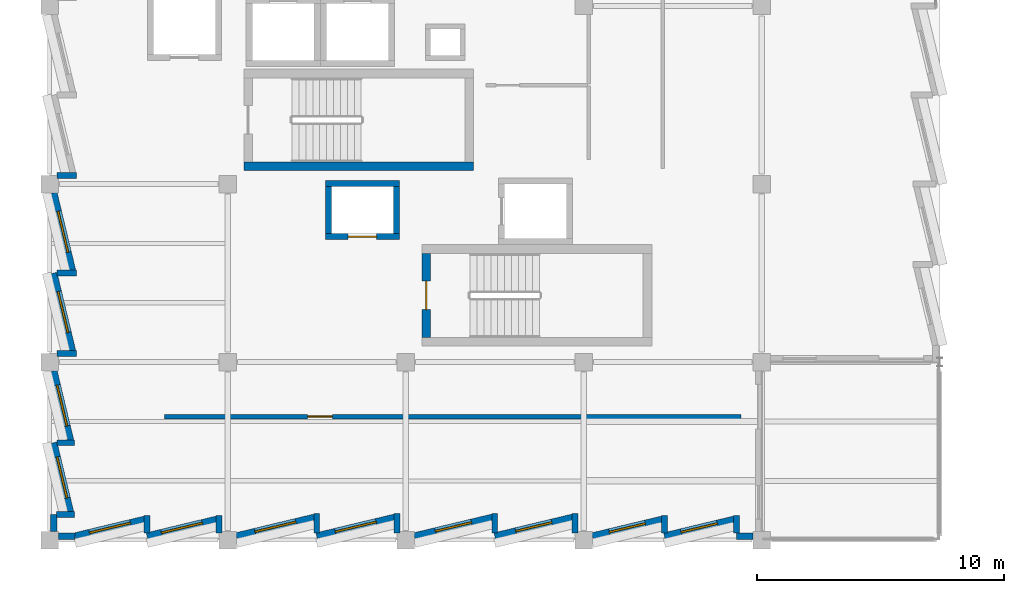
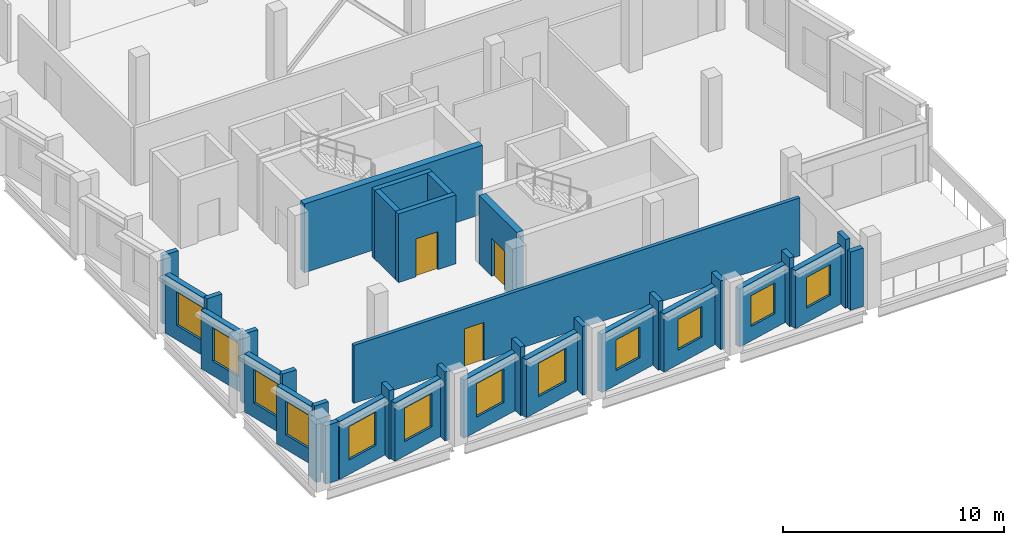
# One storey, part 28 of 38: 35 walls, 12 windows, 3 doors, 15 openings.
"""IFC4 building model written with IfcOpenShell, lengths in metres."""

import ifcopenshell
import ifcopenshell.guid

model = None  # the IFC model being written
_history = None  # IfcOwnerHistory: only IFC2X3 demands one
_inside = {}  # id of a spatial element -> (the spatial element, [elements in it])
_under = {}  # id of a project, library or spatial element -> (it, [spatial elements below it])
_declared = {}  # id of a project -> (the project, [libraries it declares])
_typed = {}  # id of a type object -> (the type object, [elements of that type])
_made_of = {}  # id of a material, layer set ... -> (it, [elements and type objects made of it])


def new_model(schema):
    """Start an empty IFC model of exactly this schema.

    Asked for "IFC4X3", IfcOpenShell would pick the latest addendum, in which some entities
    have other attributes; the version numbers below select the first issue.
    IFC2X3 requires an IfcOwnerHistory on every rooted entity: one is made here for all.
    """
    global model, _history
    if schema == "IFC4X3":
        model = ifcopenshell.file(schema_version=(4, 3, 0, 0))
    else:
        model = ifcopenshell.file(schema=schema)
    _inside.clear()
    _under.clear()
    _declared.clear()
    _typed.clear()
    _made_of.clear()
    _history = None
    if model.schema == "IFC2X3":
        org = make("IfcOrganization", Name="unknown")
        user = make(
            "IfcPersonAndOrganization",
            ThePerson=make("IfcPerson", FamilyName="unknown"),
            TheOrganization=org,
        )
        app = make(
            "IfcApplication",
            ApplicationDeveloper=org,
            Version="unknown",
            ApplicationFullName="unknown",
            ApplicationIdentifier="unknown",
        )
        _history = make(
            "IfcOwnerHistory",
            OwningUser=user,
            OwningApplication=app,
            ChangeAction="ADDED",
            CreationDate=0,
        )
    return model


def make(cls, **values):
    """One entity of the class cls with the attributes given. An attribute that is None is left unset."""
    return model.create_entity(
        cls, **{name: value for name, value in values.items() if value is not None}
    )


def rooted(cls, **values):
    """An entity with a GlobalId (a new one), such as an element, a storey or a relation."""
    return make(cls, GlobalId=ifcopenshell.guid.new(), OwnerHistory=_history, **values)


def si_unit(unit_type, name, prefix=None):
    """IfcSIUnit, for example si_unit("LENGTHUNIT", "METRE", prefix="MILLI")."""
    return make("IfcSIUnit", UnitType=unit_type, Prefix=prefix, Name=name)


def assignment(units):
    """IfcUnitAssignment: the units of a project."""
    return None if units is None else make("IfcUnitAssignment", Units=units)


def point(xyz):
    """IfcCartesianPoint."""
    return None if xyz is None else make("IfcCartesianPoint", Coordinates=xyz)


def direction(xyz):
    """IfcDirection."""
    return None if xyz is None else make("IfcDirection", DirectionRatios=xyz)


def frame(location, z_axis=None, x_axis=None):
    """IfcAxis2Placement3D, a coordinate frame: its origin and axes. An axis left out is left unset."""
    return make(
        "IfcAxis2Placement3D",
        Location=point(location),
        Axis=direction(z_axis),
        RefDirection=direction(x_axis),
    )


def frame_2d(location, x_axis=None):
    """IfcAxis2Placement2D, a coordinate frame in the plane: its origin and x axis."""
    return make(
        "IfcAxis2Placement2D", Location=point(location), RefDirection=direction(x_axis)
    )


def origin():
    """The frame at (0, 0, 0) with its axes left unset."""
    return frame((0.0, 0.0, 0.0))


def place(relative_to, where):
    """IfcLocalPlacement: puts the frame where relative to a parent placement (None: the world)."""
    return make(
        "IfcLocalPlacement", PlacementRelTo=relative_to, RelativePlacement=where
    )


def context(
    kind, dimensions, precision=None, world=None, true_north=None, identifier=None
):
    """IfcGeometricRepresentationContext, for example the 3D "Model" context."""
    return make(
        "IfcGeometricRepresentationContext",
        ContextIdentifier=identifier,
        ContextType=kind,
        CoordinateSpaceDimension=dimensions,
        Precision=precision,
        WorldCoordinateSystem=world,
        TrueNorth=true_north,
    )


def subcontext(parent, identifier, kind, view, scale=None):
    """IfcGeometricRepresentationSubContext, for example "Body" below "Model"."""
    return make(
        "IfcGeometricRepresentationSubContext",
        ContextIdentifier=identifier,
        ContextType=kind,
        ParentContext=parent,
        TargetScale=scale,
        TargetView=view,
    )


def project(units=None, contexts=None):
    """IfcProject with its units and contexts."""
    return rooted(
        "IfcProject",
        Name="project",
        RepresentationContexts=contexts,
        UnitsInContext=assignment(units),
    )


def spatial(cls, under=None, at=None, **own):
    """A site, building, storey or space (cls), placed at a placement, below another one or the project."""
    s = rooted(cls, ObjectPlacement=at, **own)
    if under is not None:
        _under.setdefault(under.id(), (under, []))[1].append(s)
    return s


def profile(cls, at=None, kind="AREA", **sizes):
    """A parametric profile (cls). Its sizes go by their IFC names, for example OverallWidth=200.0."""
    return make(cls, ProfileType=kind, Position=at, **sizes)


def rectangle(**sizes):
    """IfcRectangleProfileDef."""
    return profile("IfcRectangleProfileDef", **sizes)


def extrude(swept, where, along, depth):
    """IfcExtrudedAreaSolid: the profile swept, set in the frame where, extruded along a direction by depth."""
    return make(
        "IfcExtrudedAreaSolid",
        SweptArea=swept,
        Position=where,
        ExtrudedDirection=direction(along),
        Depth=depth,
    )


def shape(context_of_items, identifier, shape_type, items):
    """IfcShapeRepresentation: the items that make up one representation, for example the "Body"."""
    return make(
        "IfcShapeRepresentation",
        ContextOfItems=context_of_items,
        RepresentationIdentifier=identifier,
        RepresentationType=shape_type,
        Items=items,
    )


def material(Name=None, Category=None):
    """IfcMaterial."""
    return make("IfcMaterial", Name=Name, Category=Category)


def layer(
    of_material, thickness, ventilated=None, Name=None, Category=None, Priority=None
):
    """IfcMaterialLayer: one layer of a wall or slab, of a material (None: an air gap)."""
    return make(
        "IfcMaterialLayer",
        Material=of_material,
        LayerThickness=thickness,
        IsVentilated=ventilated,
        Name=Name,
        Category=Category,
        Priority=Priority,
    )


def layer_set(layers, Name=None):
    """IfcMaterialLayerSet."""
    return make("IfcMaterialLayerSet", MaterialLayers=layers, LayerSetName=Name)


def made_of(thing, what):
    """Note that an element or type object is made of a material, layer set ...; save() writes the relation."""
    if what is not None:
        _made_of.setdefault(what.id(), (what, []))[1].append(thing)
    return thing


def type_object(cls, material=None, **own):
    """A type object (cls), such as IfcWallType, which elements share."""
    return made_of(rooted(cls, **own), material)


def element(
    cls,
    number,
    at=None,
    inside=None,
    cuts=None,
    type_object=None,
    material=None,
    context=None,
    identifier="Body",
    shape_type=None,
    held_by="IfcProductDefinitionShape",
    body=None,
    shapes=None,
    **own,
):
    """One element of the class cls, such as IfcWall. Its Tag is "e" and its number.

    at: its placement. inside: the storey or other place that contains it. cuts: it is an
    opening in that element (IfcRelVoidsElement). A single representation is given by context,
    identifier, shape_type and body (its items); several are given by shapes. held_by: the class
    of the entity that holds the representations. save() writes the other relations.
    """
    e = rooted(cls, Tag="e%d" % number, ObjectPlacement=at, **own)
    if body is not None:
        shapes = [shape(context, identifier, shape_type, body)]
    if shapes is not None:
        e.Representation = make(held_by, Representations=shapes)
    if inside is not None:
        _inside.setdefault(inside.id(), (inside, []))[1].append(e)
    if cuts is not None:
        rooted(
            "IfcRelVoidsElement", RelatingBuildingElement=cuts, RelatedOpeningElement=e
        )
    if type_object is not None:
        _typed.setdefault(type_object.id(), (type_object, []))[1].append(e)
    return made_of(e, material)


def fill(opening, filler):
    """IfcRelFillsElement: the door or window that sits in an opening."""
    return rooted(
        "IfcRelFillsElement",
        RelatingOpeningElement=opening,
        RelatedBuildingElement=filler,
    )


def aggregate(whole, parts):
    """IfcRelAggregates: a whole, such as a stair, and the parts it consists of."""
    return rooted("IfcRelAggregates", RelatingObject=whole, RelatedObjects=parts)


def save(model, path):
    """Write the relations noted so far, then the file.

    IfcRelAggregates (storeys below a building ...), IfcRelContainedInSpatialStructure (elements
    in a storey), IfcRelDefinesByType, IfcRelAssociatesMaterial and IfcRelDeclares: one each for
    every whole, place, type object, material and project.
    """
    for whole, parts in _under.values():
        aggregate(whole, parts)
    for where, things in _inside.values():
        rooted(
            "IfcRelContainedInSpatialStructure",
            RelatedElements=things,
            RelatingStructure=where,
        )
    for kind, things in _typed.values():
        rooted("IfcRelDefinesByType", RelatedObjects=things, RelatingType=kind)
    for what, things in _made_of.values():
        rooted("IfcRelAssociatesMaterial", RelatedObjects=things, RelatingMaterial=what)
    for by, libraries in _declared.values():
        rooted("IfcRelDeclares", RelatingContext=by, RelatedDefinitions=libraries)
    model.write(path)


model = new_model("IFC4")

# Units and contexts
model_context = context("Model", 3, precision=1e-05, world=origin(), true_north=direction((0.0, 1.0)))
body_context = subcontext(model_context, "Body", "Model", "MODEL_VIEW")
ifc_project = project(units=[si_unit("LENGTHUNIT", "METRE"), si_unit("AREAUNIT", "SQUARE_METRE"), si_unit("VOLUMEUNIT", "CUBIC_METRE"), si_unit("PLANEANGLEUNIT", "RADIAN"), si_unit("MASSUNIT", "GRAM", prefix="KILO")], contexts=[model_context])

# Site, building, storey
site_placement = place(None, origin())
site = spatial("IfcSite", under=ifc_project, at=site_placement, CompositionType="ELEMENT")
building_placement = place(site_placement, origin())
building = spatial("IfcBuilding", under=site, at=building_placement, Name="Kalmorath City Hall", CompositionType="ELEMENT")
storey_placement = place(building_placement, frame((0.0, 0.0, 18.89990234375)))
storey = spatial("IfcBuildingStorey", under=building, at=storey_placement, Name="L04", CompositionType="ELEMENT", Elevation=18.89990234375)

# Wall
ifc_material_1 = material(Name="Concrete C50/60", Category="concrete")
ifc_layer_1 = layer(ifc_material_1, 0.35009765625)
ifc_layer_set_1 = layer_set([ifc_layer_1], Name="Concrete C50/60")
wall_type_1 = type_object("IfcWallType", Name="Concrete core shear wall 350", PredefinedType="SHEAR", material=ifc_layer_set_1)
wall_1_placement = place(storey_placement, frame((7.85009765625, 15.125, 0.0), z_axis=(0.0, 0.0, 1.0), x_axis=(1.0, 0.0, 0.0)))
element("IfcWall", 1, at=wall_1_placement, inside=storey, type_object=wall_type_1, Name="L04 C1 stair core shear wall S", PredefinedType="SHEAR", context=body_context, shape_type="SweptSolid", body=[
    extrude(rectangle(XDim=9.2998046875, YDim=0.35009765625, at=frame_2d((4.64990234375, 0.0))), origin(), (0.0, 0.0, 1.0), 3.800048828125),
])

# Wall, opening, door
wall_2_placement = place(storey_placement, frame((15.22509765625, 11.60009765625, 0.0), z_axis=(0.0, 0.0, 1.0), x_axis=(0.0, -1.0, 0.0)))
wall_2 = element("IfcWall", 2, at=wall_2_placement, inside=storey, type_object=wall_type_1, Name="L04 C2 stair core shear wall W", PredefinedType="SHEAR", context=body_context, shape_type="SweptSolid", body=[
    extrude(rectangle(XDim=3.400146484375, YDim=0.35009765625, at=frame_2d((1.7001953125, 0.0))), origin(), (0.0, 0.0, 1.0), 3.800048828125),
])
opening_1_placement = place(wall_2_placement, frame((1.125, 0.0, 0.0)))
opening_1 = element("IfcOpeningElement", 3, at=opening_1_placement, cuts=wall_2, Name="Opening D-L04-042", PredefinedType="OPENING", context=body_context, shape_type="SweptSolid", body=[
    extrude(rectangle(XDim=1.14990234375, YDim=2.10009765625, at=frame_2d((0.574951171875, 1.050048828125))), frame((0.0, 0.18505859375, 0.0), z_axis=(0.0, -1.0, 0.0), x_axis=(1.0, 0.0, 0.0)), (0.0, 0.0, 1.0), 0.3701171875),
])
ifc_material_2 = material(Name="Galvanised steel fire door", Category="steel")
door_type_1 = type_object("IfcDoorType", Name="Stair enclosure 90-min fire door 1150x2100", OperationType="NOTDEFINED", PredefinedType="DOOR", material=ifc_material_2)
door_1_placement = place(opening_1_placement, frame((1.14990234375, 0.0, 0.0), z_axis=(0.0, 0.0, 1.0), x_axis=(-1.0, 0.0, 0.0)))
door_1 = element("IfcDoor", 4, at=door_1_placement, inside=storey, type_object=door_type_1, Name="L04 door D-L04-042", OperationType="SINGLE_SWING_RIGHT", OverallHeight=2.10009765625, OverallWidth=1.14990234375, PredefinedType="DOOR", context=body_context, shape_type="SweptSolid", body=[
    extrude(rectangle(XDim=1.14990234375, YDim=2.10009765625, at=frame_2d((0.574951171875, 1.050048828125))), frame((0.0, 0.02490234375, 0.0), z_axis=(0.0, -1.0, 0.0), x_axis=(1.0, 0.0, 0.0)), (0.0, 0.0, 1.0), 0.050048828125),
])
fill(opening_1, door_1)

ifc_material_3 = material(Name="Concrete C50/60", Category="concrete")
ifc_layer_2 = layer(ifc_material_3, 0.25)
ifc_layer_set_2 = layer_set([ifc_layer_2], Name="Concrete C50/60")
wall_type_2 = type_object("IfcWallType", Name="Concrete lift shaft wall 250", PredefinedType="SHEAR", material=ifc_layer_set_2)
wall_3_placement = place(storey_placement, frame((11.14990234375, 12.27490234375, 0.0), z_axis=(0.0, 0.0, 1.0), x_axis=(1.0, 0.0, 0.0)))
wall_3 = element("IfcWall", 5, at=wall_3_placement, inside=storey, type_object=wall_type_2, Name="L04 FL2 lift shaft wall -y", PredefinedType="SHEAR", context=body_context, shape_type="SweptSolid", body=[
    extrude(rectangle(XDim=3.0, YDim=0.25, at=frame_2d((1.5, 0.0))), origin(), (0.0, 0.0, 1.0), 3.800048828125),
])
opening_2_placement = place(wall_3_placement, frame((0.925048828125, 0.0, 0.0)))
opening_2 = element("IfcOpeningElement", 6, at=opening_2_placement, cuts=wall_3, Name="Opening LD-051", PredefinedType="OPENING", context=body_context, shape_type="SweptSolid", body=[
    extrude(rectangle(XDim=1.14990234375, YDim=2.10009765625, at=frame_2d((0.574951171875, 1.050048828125))), frame((0.0, 0.135009765625, 0.0), z_axis=(0.0, -1.0, 0.0), x_axis=(1.0, 0.0, 0.0)), (0.0, 0.0, 1.0), 0.27001953125),
])
ifc_material_4 = material(Name="Stainless steel sliding landing door", Category="steel")
door_type_2 = type_object("IfcDoorType", Name="Firefighting lift sliding landing door 1150x2100", OperationType="SLIDING_TO_RIGHT", PredefinedType="DOOR", material=ifc_material_4)
door_2_placement = place(opening_2_placement, origin())
door_2 = element("IfcDoor", 7, at=door_2_placement, inside=storey, type_object=door_type_2, Name="L04 door LD-051", OperationType="SLIDING_TO_RIGHT", OverallHeight=2.10009765625, OverallWidth=1.14990234375, PredefinedType="DOOR", context=body_context, shape_type="SweptSolid", body=[
    extrude(rectangle(XDim=1.14990234375, YDim=2.10009765625, at=frame_2d((0.574951171875, 1.050048828125))), frame((0.0, 0.02490234375, 0.0), z_axis=(0.0, -1.0, 0.0), x_axis=(1.0, 0.0, 0.0)), (0.0, 0.0, 1.0), 0.050048828125),
])
fill(opening_2, door_2)

# Walls
wall_4_placement = place(storey_placement, frame((14.14990234375, 14.425048828125, 0.0), z_axis=(0.0, 0.0, 1.0), x_axis=(-1.0, 0.0, 0.0)))
element("IfcWall", 8, at=wall_4_placement, inside=storey, type_object=wall_type_2, Name="L04 FL2 lift shaft wall +y", PredefinedType="SHEAR", context=body_context, shape_type="SweptSolid", body=[
    extrude(rectangle(XDim=3.0, YDim=0.25, at=frame_2d((1.5, 0.0))), origin(), (0.0, 0.0, 1.0), 3.800048828125),
])
for number, where, z_axis, x_axis, name in (
    (9, (11.27490234375, 14.300048828125, 0.0), (0.0, 0.0, 1.0), (0.0, -1.0, 0.0), "L04 FL2 lift shaft wall -x"),
    (10, (14.02490234375, 12.39990234375, 0.0), (0.0, 0.0, 1.0), (0.0, 1.0, 0.0), "L04 FL2 lift shaft wall +x"),
):
    element("IfcWall", number, at=place(storey_placement, frame(where, z_axis=z_axis, x_axis=x_axis)), inside=storey, type_object=wall_type_2, Name=name, PredefinedType="SHEAR", context=body_context, shape_type="SweptSolid", body=[
        extrude(rectangle(XDim=1.900146484375, YDim=0.25, at=frame_2d((0.9501953125, 0.0))), origin(), (0.0, 0.0, 1.0), 3.800048828125),
    ])

# Wall, opening, door
ifc_material_5 = material(Name="Fire-rated acoustic gypsum partition")
ifc_layer_3 = layer(ifc_material_5, 0.179931640625)
ifc_layer_set_3 = layer_set([ifc_layer_3], Name="Fire-rated acoustic gypsum partition")
wall_type_3 = type_object("IfcWallType", Name="One-hour corridor fire partition 180", PredefinedType="PARTITIONING", material=ifc_layer_set_3)
wall_5_placement = place(storey_placement, frame((4.639892578125, 5.0, 0.0), z_axis=(0.0, 0.0, 1.0), x_axis=(1.0, 0.0, 0.0)))
wall_5 = element("IfcWall", 11, at=wall_5_placement, inside=storey, type_object=wall_type_3, Name="L04 interior partition PW2 #165", PredefinedType="PARTITIONING", context=body_context, shape_type="SweptSolid", body=[
    extrude(rectangle(XDim=23.320068359375, YDim=0.179931640625, at=frame_2d((11.66015625, 0.0))), origin(), (0.0, 0.0, 1.0), 3.2060546875),
])
opening_3_placement = place(wall_5_placement, frame((5.7900390625, 0.0, 0.0)))
opening_3 = element("IfcOpeningElement", 12, at=opening_3_placement, cuts=wall_5, Name="Opening D-L04-241", PredefinedType="OPENING", context=body_context, shape_type="SweptSolid", body=[
    extrude(rectangle(XDim=1.0, YDim=2.10009765625, at=frame_2d((0.5, 1.050048828125))), frame((0.0, 0.099853515625, 0.0), z_axis=(0.0, -1.0, 0.0), x_axis=(1.0, 0.0, 0.0)), (0.0, 0.0, 1.0), 0.199951171875),
])
ifc_material_6 = material(Name="Hardwood fire door", Category="wood")
door_type_3 = type_object("IfcDoorType", Name="Corridor 60-min fire door 1000x2100", OperationType="NOTDEFINED", PredefinedType="DOOR", material=ifc_material_6)
door_3_placement = place(opening_3_placement, origin())
door_3 = element("IfcDoor", 13, at=door_3_placement, inside=storey, type_object=door_type_3, Name="L04 door D-L04-241", OperationType="SINGLE_SWING_LEFT", OverallHeight=2.10009765625, OverallWidth=1.0, PredefinedType="DOOR", context=body_context, shape_type="SweptSolid", body=[
    extrude(rectangle(XDim=1.0, YDim=2.10009765625, at=frame_2d((0.5, 1.050048828125))), frame((0.0, 0.02490234375, 0.0), z_axis=(0.0, -1.0, 0.0), x_axis=(1.0, 0.0, 0.0)), (0.0, 0.0, 1.0), 0.050048828125),
])
fill(opening_3, door_3)

# Walls
ifc_material_7 = material(Name="Precast concrete C40/50", Category="concrete")
ifc_layer_4 = layer(ifc_material_7, 0.239990234375)
ifc_layer_set_4 = layer_set([ifc_layer_4], Name="Precast concrete C40/50")
wall_type_4 = type_object("IfcWallType", Name="Precast sawtooth cheek wall 240", PredefinedType="SOLIDWALL", material=ifc_layer_set_4)
wall_6_placement = place(storey_placement, frame((27.76904296875, 1.00341796875, 0.0), z_axis=(0.0, 0.0, 1.0), x_axis=(0.0, -1.0, 0.0)))
element("IfcWall", 14, at=wall_6_placement, inside=storey, type_object=wall_type_4, Name="L04 sawtooth return cheek #727", PredefinedType="SOLIDWALL", context=body_context, shape_type="SweptSolid", body=[
    extrude(rectangle(XDim=0.721435546875, YDim=0.239990234375, at=frame_2d((0.36083984375, 0.0))), origin(), (0.0, 0.0, 1.0), 3.800048828125),
])
wall_7_placement = place(storey_placement, frame((24.860107421875, 1.00341796875, 0.0), z_axis=(0.0, 0.0, 1.0), x_axis=(0.0, -1.0, 0.0)))
element("IfcWall", 15, at=wall_7_placement, inside=storey, type_object=wall_type_4, Name="L04 sawtooth return cheek #729", PredefinedType="SOLIDWALL", context=body_context, shape_type="SweptSolid", body=[
    extrude(rectangle(XDim=0.71142578125, YDim=0.239990234375, at=frame_2d((0.355712890625, 0.0))), origin(), (0.0, 0.0, 1.0), 3.800048828125),
])
for number, where, z_axis, x_axis, name in (
    (16, (21.2490234375, 1.0849609375, 0.0), (0.0, 0.0, 1.0), (0.0, -1.0, 0.0), "L04 sawtooth return cheek #731"),
    (17, (18.0, 1.0849609375, 0.0), (0.0, 0.0, 1.0), (0.0, -1.0, 0.0), "L04 sawtooth return cheek #733"),
    (18, (14.049072265625, 1.0849609375, 0.0), (0.0, 0.0, 1.0), (0.0, -1.0, 0.0), "L04 sawtooth return cheek #735"),
    (19, (10.800048828125, 1.0849609375, 0.0), (0.0, 0.0, 1.0), (0.0, -1.0, 0.0), "L04 sawtooth return cheek #737"),
):
    element("IfcWall", number, at=place(storey_placement, frame(where, z_axis=z_axis, x_axis=x_axis)), inside=storey, type_object=wall_type_4, Name=name, PredefinedType="SOLIDWALL", context=body_context, shape_type="SweptSolid", body=[
        extrude(rectangle(XDim=0.79296875, YDim=0.239990234375, at=frame_2d((0.396484375, 0.0))), origin(), (0.0, 0.0, 1.0), 3.800048828125),
    ])
for number, where, z_axis, x_axis, name in (
    (20, (6.84912109375, 1.00341796875, 0.0), (0.0, 0.0, 1.0), (0.0, -1.0, 0.0), "L04 sawtooth return cheek #740"),
    (21, (3.93994140625, 1.00341796875, 0.0), (0.0, 0.0, 1.0), (0.0, -1.0, 0.0), "L04 sawtooth return cheek #742"),
):
    element("IfcWall", number, at=place(storey_placement, frame(where, z_axis=z_axis, x_axis=x_axis)), inside=storey, type_object=wall_type_4, Name=name, PredefinedType="SOLIDWALL", context=body_context, shape_type="SweptSolid", body=[
        extrude(rectangle(XDim=0.71142578125, YDim=0.239990234375, at=frame_2d((0.355712890625, 0.0))), origin(), (0.0, 0.0, 1.0), 3.800048828125),
    ])
wall_8_placement = place(storey_placement, frame((1.00341796875, 1.031005859375, 0.0), z_axis=(0.0, 0.0, 1.0), x_axis=(-1.0, 0.0, 0.0)))
element("IfcWall", 22, at=wall_8_placement, inside=storey, type_object=wall_type_4, Name="L04 sawtooth return cheek #745", PredefinedType="SOLIDWALL", context=body_context, shape_type="SweptSolid", body=[
    extrude(rectangle(XDim=0.721435546875, YDim=0.239990234375, at=frame_2d((0.36083984375, 0.0))), origin(), (0.0, 0.0, 1.0), 3.800048828125),
])
wall_9_placement = place(storey_placement, frame((1.00341796875, 3.93994140625, 0.0), z_axis=(0.0, 0.0, 1.0), x_axis=(-1.0, 0.0, 0.0)))
element("IfcWall", 23, at=wall_9_placement, inside=storey, type_object=wall_type_4, Name="L04 sawtooth return cheek #747", PredefinedType="SOLIDWALL", context=body_context, shape_type="SweptSolid", body=[
    extrude(rectangle(XDim=0.71142578125, YDim=0.239990234375, at=frame_2d((0.355712890625, 0.0))), origin(), (0.0, 0.0, 1.0), 3.800048828125),
])
for number, where, z_axis, x_axis, name in (
    (24, (1.0849609375, 7.551025390625, 0.0), (0.0, 0.0, 1.0), (-1.0, 0.0, 0.0), "L04 sawtooth return cheek #749"),
    (25, (1.0849609375, 10.800048828125, 0.0), (0.0, 0.0, 1.0), (-1.0, 0.0, 0.0), "L04 sawtooth return cheek #751"),
    (26, (1.0849609375, 14.7509765625, 0.0), (0.0, 0.0, 1.0), (-1.0, 0.0, 0.0), "L04 sawtooth return cheek #753"),
):
    element("IfcWall", number, at=place(storey_placement, frame(where, z_axis=z_axis, x_axis=x_axis)), inside=storey, type_object=wall_type_4, Name=name, PredefinedType="SOLIDWALL", context=body_context, shape_type="SweptSolid", body=[
        extrude(rectangle(XDim=0.79296875, YDim=0.239990234375, at=frame_2d((0.396484375, 0.0))), origin(), (0.0, 0.0, 1.0), 3.800048828125),
    ])

# Wall, opening, window
ifc_material_8 = material(Name="Precast concrete C40/50", Category="concrete")
ifc_layer_5 = layer(ifc_material_8, 0.280029296875)
ifc_layer_set_5 = layer_set([ifc_layer_5], Name="Precast concrete C40/50")
wall_type_5 = type_object("IfcWallType", Name="Precast sawtooth facade wall 280", PredefinedType="SOLIDWALL", material=ifc_layer_set_5)
wall_10_placement = place(storey_placement, frame((27.676513671875, 0.836181640625, 0.0), z_axis=(0.0, 0.0, 1.0), x_axis=(-0.9723612823, -0.23348134119, 0.0)))
wall_10 = element("IfcWall", 27, at=wall_10_placement, inside=storey, type_object=wall_type_5, Name="L04 sawtooth precast frame #726", PredefinedType="SOLIDWALL", context=body_context, shape_type="SweptSolid", body=[
    extrude(rectangle(XDim=2.896484375, YDim=0.280029296875, at=frame_2d((1.4482421875, 0.0))), origin(), (0.0, 0.0, 1.0), 3.216064453125),
])
opening_4_placement = place(wall_10_placement, frame((0.6982421875, 0.0, 0.800048828125)))
opening_4 = element("IfcOpeningElement", 28, at=opening_4_placement, cuts=wall_10, Name="Opening WN7", PredefinedType="OPENING", context=body_context, shape_type="SweptSolid", body=[
    extrude(rectangle(XDim=1.5, YDim=1.699951171875, at=frame_2d((0.75, 0.85009765625))), frame((0.0, 0.14990234375, 0.0), z_axis=(0.0, -1.0, 0.0), x_axis=(1.0, 0.0, 0.0)), (0.0, 0.0, 1.0), 0.300048828125),
])
ifc_material_9 = material(Name="Aluminium and laminated glass", Category="aluminium")
window_type_1 = type_object("IfcWindowType", Name="Sawtooth top storey window 1500x1700", PartitioningType="SINGLE_PANEL", PredefinedType="WINDOW", material=ifc_material_9)
window_1_placement = place(opening_4_placement, origin())
window_1 = element("IfcWindow", 29, at=window_1_placement, inside=storey, type_object=window_type_1, Name="L04 window WN7-384", OverallHeight=1.699951171875, OverallWidth=1.5, PartitioningType="SINGLE_PANEL", PredefinedType="WINDOW", context=body_context, shape_type="SweptSolid", body=[
    extrude(rectangle(XDim=1.5, YDim=1.699951171875, at=frame_2d((0.75, 0.85009765625))), frame((0.0, 0.030029296875, 0.0), z_axis=(0.0, -1.0, 0.0), x_axis=(1.0, 0.0, 0.0)), (0.0, 0.0, 1.0), 0.06005859375),
])
fill(opening_4, window_1)

wall_11_placement = place(storey_placement, frame((24.767578125, 0.836181640625, 0.0), z_axis=(0.0, 0.0, 1.0), x_axis=(-0.972365876643, -0.233462206666, 0.0)))
wall_11 = element("IfcWall", 30, at=wall_11_placement, inside=storey, type_object=wall_type_5, Name="L04 sawtooth precast frame #728", PredefinedType="SOLIDWALL", context=body_context, shape_type="SweptSolid", body=[
    extrude(rectangle(XDim=2.896728515625, YDim=0.280029296875, at=frame_2d((1.4482421875, 0.0))), origin(), (0.0, 0.0, 1.0), 3.216064453125),
])
opening_5_placement = place(wall_11_placement, frame((0.6982421875, 0.0, 0.800048828125)))
opening_5 = element("IfcOpeningElement", 31, at=opening_5_placement, cuts=wall_11, Name="Opening WN7", PredefinedType="OPENING", context=body_context, shape_type="SweptSolid", body=[
    extrude(rectangle(XDim=1.5, YDim=1.699951171875, at=frame_2d((0.75, 0.85009765625))), frame((0.0, 0.14990234375, 0.0), z_axis=(0.0, -1.0, 0.0), x_axis=(1.0, 0.0, 0.0)), (0.0, 0.0, 1.0), 0.300048828125),
])
window_2_placement = place(opening_5_placement, origin())
window_2 = element("IfcWindow", 32, at=window_2_placement, inside=storey, type_object=window_type_1, Name="L04 window WN7-385", OverallHeight=1.699951171875, OverallWidth=1.5, PartitioningType="SINGLE_PANEL", PredefinedType="WINDOW", context=body_context, shape_type="SweptSolid", body=[
    extrude(rectangle(XDim=1.5, YDim=1.699951171875, at=frame_2d((0.75, 0.85009765625))), frame((0.0, 0.030029296875, 0.0), z_axis=(0.0, -1.0, 0.0), x_axis=(1.0, 0.0, 0.0)), (0.0, 0.0, 1.0), 0.06005859375),
])
fill(opening_5, window_2)

wall_12_placement = place(storey_placement, frame((21.156494140625, 0.917724609375, 0.0), z_axis=(0.0, 0.0, 1.0), x_axis=(-0.972369549528, -0.233446908634, 0.0)))
wall_12 = element("IfcWall", 33, at=wall_12_placement, inside=storey, type_object=wall_type_5, Name="L04 sawtooth precast frame #730", PredefinedType="SOLIDWALL", context=body_context, shape_type="SweptSolid", body=[
    extrude(rectangle(XDim=3.24609375, YDim=0.280029296875, at=frame_2d((1.623046875, 0.0))), origin(), (0.0, 0.0, 1.0), 3.216064453125),
])
opening_6_placement = place(wall_12_placement, frame((0.873291015625, 0.0, 0.800048828125)))
opening_6 = element("IfcOpeningElement", 34, at=opening_6_placement, cuts=wall_12, Name="Opening WN7", PredefinedType="OPENING", context=body_context, shape_type="SweptSolid", body=[
    extrude(rectangle(XDim=1.5, YDim=1.699951171875, at=frame_2d((0.75, 0.85009765625))), frame((0.0, 0.14990234375, 0.0), z_axis=(0.0, -1.0, 0.0), x_axis=(1.0, 0.0, 0.0)), (0.0, 0.0, 1.0), 0.300048828125),
])
window_3_placement = place(opening_6_placement, origin())
window_3 = element("IfcWindow", 35, at=window_3_placement, inside=storey, type_object=window_type_1, Name="L04 window WN7-386", OverallHeight=1.699951171875, OverallWidth=1.5, PartitioningType="SINGLE_PANEL", PredefinedType="WINDOW", context=body_context, shape_type="SweptSolid", body=[
    extrude(rectangle(XDim=1.5, YDim=1.699951171875, at=frame_2d((0.75, 0.85009765625))), frame((0.0, 0.030029296875, 0.0), z_axis=(0.0, -1.0, 0.0), x_axis=(1.0, 0.0, 0.0)), (0.0, 0.0, 1.0), 0.06005859375),
])
fill(opening_6, window_3)

wall_13_placement = place(storey_placement, frame((17.90771484375, 0.917724609375, 0.0), z_axis=(0.0, 0.0, 1.0), x_axis=(-0.972373647746, -0.233429837788, 0.0)))
wall_13 = element("IfcWall", 36, at=wall_13_placement, inside=storey, type_object=wall_type_5, Name="L04 sawtooth precast frame #732", PredefinedType="SOLIDWALL", context=body_context, shape_type="SweptSolid", body=[
    extrude(rectangle(XDim=3.246337890625, YDim=0.280029296875, at=frame_2d((1.623046875, 0.0))), origin(), (0.0, 0.0, 1.0), 3.216064453125),
])
opening_7_placement = place(wall_13_placement, frame((0.873291015625, 0.0, 0.800048828125)))
opening_7 = element("IfcOpeningElement", 37, at=opening_7_placement, cuts=wall_13, Name="Opening WN7", PredefinedType="OPENING", context=body_context, shape_type="SweptSolid", body=[
    extrude(rectangle(XDim=1.5, YDim=1.699951171875, at=frame_2d((0.75, 0.85009765625))), frame((0.0, 0.14990234375, 0.0), z_axis=(0.0, -1.0, 0.0), x_axis=(1.0, 0.0, 0.0)), (0.0, 0.0, 1.0), 0.300048828125),
])
window_4_placement = place(opening_7_placement, origin())
window_4 = element("IfcWindow", 38, at=window_4_placement, inside=storey, type_object=window_type_1, Name="L04 window WN7-387", OverallHeight=1.699951171875, OverallWidth=1.5, PartitioningType="SINGLE_PANEL", PredefinedType="WINDOW", context=body_context, shape_type="SweptSolid", body=[
    extrude(rectangle(XDim=1.5, YDim=1.699951171875, at=frame_2d((0.75, 0.85009765625))), frame((0.0, 0.030029296875, 0.0), z_axis=(0.0, -1.0, 0.0), x_axis=(1.0, 0.0, 0.0)), (0.0, 0.0, 1.0), 0.06005859375),
])
fill(opening_7, window_4)

wall_14_placement = place(storey_placement, frame((13.95654296875, 0.917724609375, 0.0), z_axis=(0.0, 0.0, 1.0), x_axis=(-0.972369549528, -0.233446908634, 0.0)))
wall_14 = element("IfcWall", 39, at=wall_14_placement, inside=storey, type_object=wall_type_5, Name="L04 sawtooth precast frame #734", PredefinedType="SOLIDWALL", context=body_context, shape_type="SweptSolid", body=[
    extrude(rectangle(XDim=3.24609375, YDim=0.280029296875, at=frame_2d((1.623046875, 0.0))), origin(), (0.0, 0.0, 1.0), 3.216064453125),
])
opening_8_placement = place(wall_14_placement, frame((0.773193359375, 0.0, 0.800048828125)))
opening_8 = element("IfcOpeningElement", 40, at=opening_8_placement, cuts=wall_14, Name="Opening WN6", PredefinedType="OPENING", context=body_context, shape_type="SweptSolid", body=[
    extrude(rectangle(XDim=1.699951171875, YDim=1.85009765625, at=frame_2d((0.85009765625, 0.925048828125))), frame((0.0, 0.14990234375, 0.0), z_axis=(0.0, -1.0, 0.0), x_axis=(1.0, 0.0, 0.0)), (0.0, 0.0, 1.0), 0.300048828125),
])
ifc_material_10 = material(Name="Aluminium and laminated glass", Category="aluminium")
window_type_2 = type_object("IfcWindowType", Name="Sawtooth west wing window 1700x1850", PartitioningType="SINGLE_PANEL", PredefinedType="WINDOW", material=ifc_material_10)
window_5_placement = place(opening_8_placement, origin())
window_5 = element("IfcWindow", 41, at=window_5_placement, inside=storey, type_object=window_type_2, Name="L04 window WN6-388", OverallHeight=1.85009765625, OverallWidth=1.699951171875, PartitioningType="SINGLE_PANEL", PredefinedType="WINDOW", context=body_context, shape_type="SweptSolid", body=[
    extrude(rectangle(XDim=1.699951171875, YDim=1.85009765625, at=frame_2d((0.85009765625, 0.925048828125))), frame((0.0, 0.030029296875, 0.0), z_axis=(0.0, -1.0, 0.0), x_axis=(1.0, 0.0, 0.0)), (0.0, 0.0, 1.0), 0.06005859375),
])
fill(opening_8, window_5)

wall_15_placement = place(storey_placement, frame((10.70751953125, 0.917724609375, 0.0), z_axis=(0.0, 0.0, 1.0), x_axis=(-0.972369549528, -0.233446908634, 0.0)))
wall_15 = element("IfcWall", 42, at=wall_15_placement, inside=storey, type_object=wall_type_5, Name="L04 sawtooth precast frame #736", PredefinedType="SOLIDWALL", context=body_context, shape_type="SweptSolid", body=[
    extrude(rectangle(XDim=3.24609375, YDim=0.280029296875, at=frame_2d((1.623046875, 0.0))), origin(), (0.0, 0.0, 1.0), 3.216064453125),
])
opening_9_placement = place(wall_15_placement, frame((0.773193359375, 0.0, 0.800048828125)))
opening_9 = element("IfcOpeningElement", 43, at=opening_9_placement, cuts=wall_15, Name="Opening WN6", PredefinedType="OPENING", context=body_context, shape_type="SweptSolid", body=[
    extrude(rectangle(XDim=1.699951171875, YDim=1.85009765625, at=frame_2d((0.85009765625, 0.925048828125))), frame((0.0, 0.14990234375, 0.0), z_axis=(0.0, -1.0, 0.0), x_axis=(1.0, 0.0, 0.0)), (0.0, 0.0, 1.0), 0.300048828125),
])
window_6_placement = place(opening_9_placement, origin())
window_6 = element("IfcWindow", 44, at=window_6_placement, inside=storey, type_object=window_type_2, Name="L04 window WN6-389", OverallHeight=1.85009765625, OverallWidth=1.699951171875, PartitioningType="SINGLE_PANEL", PredefinedType="WINDOW", context=body_context, shape_type="SweptSolid", body=[
    extrude(rectangle(XDim=1.699951171875, YDim=1.85009765625, at=frame_2d((0.85009765625, 0.925048828125))), frame((0.0, 0.030029296875, 0.0), z_axis=(0.0, -1.0, 0.0), x_axis=(1.0, 0.0, 0.0)), (0.0, 0.0, 1.0), 0.06005859375),
])
fill(opening_9, window_6)

wall_16_placement = place(storey_placement, frame((6.756591796875, 0.836181640625, 0.0), z_axis=(0.0, 0.0, 1.0), x_axis=(-0.972365876643, -0.233462206666, 0.0)))
wall_16 = element("IfcWall", 45, at=wall_16_placement, inside=storey, type_object=wall_type_5, Name="L04 sawtooth precast frame #739", PredefinedType="SOLIDWALL", context=body_context, shape_type="SweptSolid", body=[
    extrude(rectangle(XDim=2.896728515625, YDim=0.280029296875, at=frame_2d((1.4482421875, 0.0))), origin(), (0.0, 0.0, 1.0), 3.216064453125),
])
opening_10_placement = place(wall_16_placement, frame((0.598388671875, 0.0, 0.800048828125)))
opening_10 = element("IfcOpeningElement", 46, at=opening_10_placement, cuts=wall_16, Name="Opening WN6", PredefinedType="OPENING", context=body_context, shape_type="SweptSolid", body=[
    extrude(rectangle(XDim=1.699951171875, YDim=1.85009765625, at=frame_2d((0.85009765625, 0.925048828125))), frame((0.0, 0.14990234375, 0.0), z_axis=(0.0, -1.0, 0.0), x_axis=(1.0, 0.0, 0.0)), (0.0, 0.0, 1.0), 0.300048828125),
])
window_7_placement = place(opening_10_placement, origin())
window_7 = element("IfcWindow", 47, at=window_7_placement, inside=storey, type_object=window_type_2, Name="L04 window WN6-390", OverallHeight=1.85009765625, OverallWidth=1.699951171875, PartitioningType="SINGLE_PANEL", PredefinedType="WINDOW", context=body_context, shape_type="SweptSolid", body=[
    extrude(rectangle(XDim=1.699951171875, YDim=1.85009765625, at=frame_2d((0.85009765625, 0.925048828125))), frame((0.0, 0.030029296875, 0.0), z_axis=(0.0, -1.0, 0.0), x_axis=(1.0, 0.0, 0.0)), (0.0, 0.0, 1.0), 0.06005859375),
])
fill(opening_10, window_7)

wall_17_placement = place(storey_placement, frame((3.84765625, 0.836181640625, 0.0), z_axis=(0.0, 0.0, 1.0), x_axis=(-0.972365876643, -0.233462206666, 0.0)))
wall_17 = element("IfcWall", 48, at=wall_17_placement, inside=storey, type_object=wall_type_5, Name="L04 sawtooth precast frame #741", PredefinedType="SOLIDWALL", context=body_context, shape_type="SweptSolid", body=[
    extrude(rectangle(XDim=2.896728515625, YDim=0.280029296875, at=frame_2d((1.4482421875, 0.0))), origin(), (0.0, 0.0, 1.0), 3.216064453125),
])
opening_11_placement = place(wall_17_placement, frame((0.598388671875, 0.0, 0.800048828125)))
opening_11 = element("IfcOpeningElement", 49, at=opening_11_placement, cuts=wall_17, Name="Opening WN6", PredefinedType="OPENING", context=body_context, shape_type="SweptSolid", body=[
    extrude(rectangle(XDim=1.699951171875, YDim=1.85009765625, at=frame_2d((0.85009765625, 0.925048828125))), frame((0.0, 0.14990234375, 0.0), z_axis=(0.0, -1.0, 0.0), x_axis=(1.0, 0.0, 0.0)), (0.0, 0.0, 1.0), 0.300048828125),
])
window_8_placement = place(opening_11_placement, origin())
window_8 = element("IfcWindow", 50, at=window_8_placement, inside=storey, type_object=window_type_2, Name="L04 window WN6-391", OverallHeight=1.85009765625, OverallWidth=1.699951171875, PartitioningType="SINGLE_PANEL", PredefinedType="WINDOW", context=body_context, shape_type="SweptSolid", body=[
    extrude(rectangle(XDim=1.699951171875, YDim=1.85009765625, at=frame_2d((0.85009765625, 0.925048828125))), frame((0.0, 0.030029296875, 0.0), z_axis=(0.0, -1.0, 0.0), x_axis=(1.0, 0.0, 0.0)), (0.0, 0.0, 1.0), 0.06005859375),
])
fill(opening_11, window_8)

wall_18_placement = place(storey_placement, frame((0.836181640625, 1.123291015625, 0.0), z_axis=(0.0, 0.0, 1.0), x_axis=(-0.233462206666, 0.972365876643, 0.0)))
wall_18 = element("IfcWall", 51, at=wall_18_placement, inside=storey, type_object=wall_type_5, Name="L04 sawtooth precast frame #744", PredefinedType="SOLIDWALL", context=body_context, shape_type="SweptSolid", body=[
    extrude(rectangle(XDim=2.896728515625, YDim=0.280029296875, at=frame_2d((1.4482421875, 0.0))), origin(), (0.0, 0.0, 1.0), 3.216064453125),
])
opening_12_placement = place(wall_18_placement, frame((0.598388671875, 0.0, 0.800048828125)))
opening_12 = element("IfcOpeningElement", 52, at=opening_12_placement, cuts=wall_18, Name="Opening WN6", PredefinedType="OPENING", context=body_context, shape_type="SweptSolid", body=[
    extrude(rectangle(XDim=1.699951171875, YDim=1.85009765625, at=frame_2d((0.85009765625, 0.925048828125))), frame((0.0, 0.14990234375, 0.0), z_axis=(0.0, -1.0, 0.0), x_axis=(1.0, 0.0, 0.0)), (0.0, 0.0, 1.0), 0.300048828125),
])
window_9_placement = place(opening_12_placement, origin())
window_9 = element("IfcWindow", 53, at=window_9_placement, inside=storey, type_object=window_type_2, Name="L04 window WN6-392", OverallHeight=1.85009765625, OverallWidth=1.699951171875, PartitioningType="SINGLE_PANEL", PredefinedType="WINDOW", context=body_context, shape_type="SweptSolid", body=[
    extrude(rectangle(XDim=1.699951171875, YDim=1.85009765625, at=frame_2d((0.85009765625, 0.925048828125))), frame((0.0, 0.030029296875, 0.0), z_axis=(0.0, -1.0, 0.0), x_axis=(1.0, 0.0, 0.0)), (0.0, 0.0, 1.0), 0.06005859375),
])
fill(opening_12, window_9)

wall_19_placement = place(storey_placement, frame((0.836181640625, 4.032470703125, 0.0), z_axis=(0.0, 0.0, 1.0), x_axis=(-0.233462206666, 0.972365876643, 0.0)))
wall_19 = element("IfcWall", 54, at=wall_19_placement, inside=storey, type_object=wall_type_5, Name="L04 sawtooth precast frame #746", PredefinedType="SOLIDWALL", context=body_context, shape_type="SweptSolid", body=[
    extrude(rectangle(XDim=2.896728515625, YDim=0.280029296875, at=frame_2d((1.4482421875, 0.0))), origin(), (0.0, 0.0, 1.0), 3.216064453125),
])
opening_13_placement = place(wall_19_placement, frame((0.598388671875, 0.0, 0.800048828125)))
opening_13 = element("IfcOpeningElement", 55, at=opening_13_placement, cuts=wall_19, Name="Opening WN6", PredefinedType="OPENING", context=body_context, shape_type="SweptSolid", body=[
    extrude(rectangle(XDim=1.699951171875, YDim=1.85009765625, at=frame_2d((0.85009765625, 0.925048828125))), frame((0.0, 0.14990234375, 0.0), z_axis=(0.0, -1.0, 0.0), x_axis=(1.0, 0.0, 0.0)), (0.0, 0.0, 1.0), 0.300048828125),
])
window_10_placement = place(opening_13_placement, origin())
window_10 = element("IfcWindow", 56, at=window_10_placement, inside=storey, type_object=window_type_2, Name="L04 window WN6-393", OverallHeight=1.85009765625, OverallWidth=1.699951171875, PartitioningType="SINGLE_PANEL", PredefinedType="WINDOW", context=body_context, shape_type="SweptSolid", body=[
    extrude(rectangle(XDim=1.699951171875, YDim=1.85009765625, at=frame_2d((0.85009765625, 0.925048828125))), frame((0.0, 0.030029296875, 0.0), z_axis=(0.0, -1.0, 0.0), x_axis=(1.0, 0.0, 0.0)), (0.0, 0.0, 1.0), 0.06005859375),
])
fill(opening_13, window_10)

wall_20_placement = place(storey_placement, frame((0.917724609375, 7.643310546875, 0.0), z_axis=(0.0, 0.0, 1.0), x_axis=(-0.233429837788, 0.972373647746, 0.0)))
wall_20 = element("IfcWall", 57, at=wall_20_placement, inside=storey, type_object=wall_type_5, Name="L04 sawtooth precast frame #748", PredefinedType="SOLIDWALL", context=body_context, shape_type="SweptSolid", body=[
    extrude(rectangle(XDim=3.246337890625, YDim=0.280029296875, at=frame_2d((1.623046875, 0.0))), origin(), (0.0, 0.0, 1.0), 3.216064453125),
])
opening_14_placement = place(wall_20_placement, frame((0.773193359375, 0.0, 0.800048828125)))
opening_14 = element("IfcOpeningElement", 58, at=opening_14_placement, cuts=wall_20, Name="Opening WN6", PredefinedType="OPENING", context=body_context, shape_type="SweptSolid", body=[
    extrude(rectangle(XDim=1.699951171875, YDim=1.85009765625, at=frame_2d((0.85009765625, 0.925048828125))), frame((0.0, 0.14990234375, 0.0), z_axis=(0.0, -1.0, 0.0), x_axis=(1.0, 0.0, 0.0)), (0.0, 0.0, 1.0), 0.300048828125),
])
window_11_placement = place(opening_14_placement, origin())
window_11 = element("IfcWindow", 59, at=window_11_placement, inside=storey, type_object=window_type_2, Name="L04 window WN6-394", OverallHeight=1.85009765625, OverallWidth=1.699951171875, PartitioningType="SINGLE_PANEL", PredefinedType="WINDOW", context=body_context, shape_type="SweptSolid", body=[
    extrude(rectangle(XDim=1.699951171875, YDim=1.85009765625, at=frame_2d((0.85009765625, 0.925048828125))), frame((0.0, 0.030029296875, 0.0), z_axis=(0.0, -1.0, 0.0), x_axis=(1.0, 0.0, 0.0)), (0.0, 0.0, 1.0), 0.06005859375),
])
fill(opening_14, window_11)

wall_21_placement = place(storey_placement, frame((0.917724609375, 10.892333984375, 0.0), z_axis=(0.0, 0.0, 1.0), x_axis=(-0.233429837788, 0.972373647746, 0.0)))
wall_21 = element("IfcWall", 60, at=wall_21_placement, inside=storey, type_object=wall_type_5, Name="L04 sawtooth precast frame #750", PredefinedType="SOLIDWALL", context=body_context, shape_type="SweptSolid", body=[
    extrude(rectangle(XDim=3.246337890625, YDim=0.280029296875, at=frame_2d((1.623046875, 0.0))), origin(), (0.0, 0.0, 1.0), 3.216064453125),
])
opening_15_placement = place(wall_21_placement, frame((0.773193359375, 0.0, 0.800048828125)))
opening_15 = element("IfcOpeningElement", 61, at=opening_15_placement, cuts=wall_21, Name="Opening WN6", PredefinedType="OPENING", context=body_context, shape_type="SweptSolid", body=[
    extrude(rectangle(XDim=1.699951171875, YDim=1.85009765625, at=frame_2d((0.85009765625, 0.925048828125))), frame((0.0, 0.14990234375, 0.0), z_axis=(0.0, -1.0, 0.0), x_axis=(1.0, 0.0, 0.0)), (0.0, 0.0, 1.0), 0.300048828125),
])
window_12_placement = place(opening_15_placement, origin())
window_12 = element("IfcWindow", 62, at=window_12_placement, inside=storey, type_object=window_type_2, Name="L04 window WN6-395", OverallHeight=1.85009765625, OverallWidth=1.699951171875, PartitioningType="SINGLE_PANEL", PredefinedType="WINDOW", context=body_context, shape_type="SweptSolid", body=[
    extrude(rectangle(XDim=1.699951171875, YDim=1.85009765625, at=frame_2d((0.85009765625, 0.925048828125))), frame((0.0, 0.030029296875, 0.0), z_axis=(0.0, -1.0, 0.0), x_axis=(1.0, 0.0, 0.0)), (0.0, 0.0, 1.0), 0.06005859375),
])
fill(opening_15, window_12)

# Walls
ifc_material_11 = material(Name="Precast concrete C40/50", Category="concrete")
ifc_layer_6 = layer(ifc_material_11, 0.260009765625)
ifc_layer_set_6 = layer_set([ifc_layer_6], Name="Precast concrete C40/50")
wall_type_6 = type_object("IfcWallType", Name="Precast sawtooth return wall 260", PredefinedType="SOLIDWALL", material=ifc_layer_set_6)
for number, where, z_axis, x_axis, name in (
    (63, (28.448974609375, 0.159912109375, 0.0), (0.0, 0.0, 1.0), (-1.0, 0.0, 0.0), "L04 corner pier wall #725"),
    (64, (1.031005859375, 0.159912109375, 0.0), (0.0, 0.0, 1.0), (-1.0, 0.0, 0.0), "L04 corner pier wall #738"),
    (65, (0.159912109375, 0.35107421875, 0.0), (0.0, 0.0, 1.0), (0.0, 1.0, 0.0), "L04 corner pier wall #743"),
):
    element("IfcWall", number, at=place(storey_placement, frame(where, z_axis=z_axis, x_axis=x_axis)), inside=storey, type_object=wall_type_6, Name=name, PredefinedType="SOLIDWALL", context=body_context, shape_type="SweptSolid", body=[
        extrude(rectangle(XDim=0.679931640625, YDim=0.260009765625, at=frame_2d((0.33984375, 0.0))), origin(), (0.0, 0.0, 1.0), 3.216064453125),
    ])

save(model, "model.ifc")
